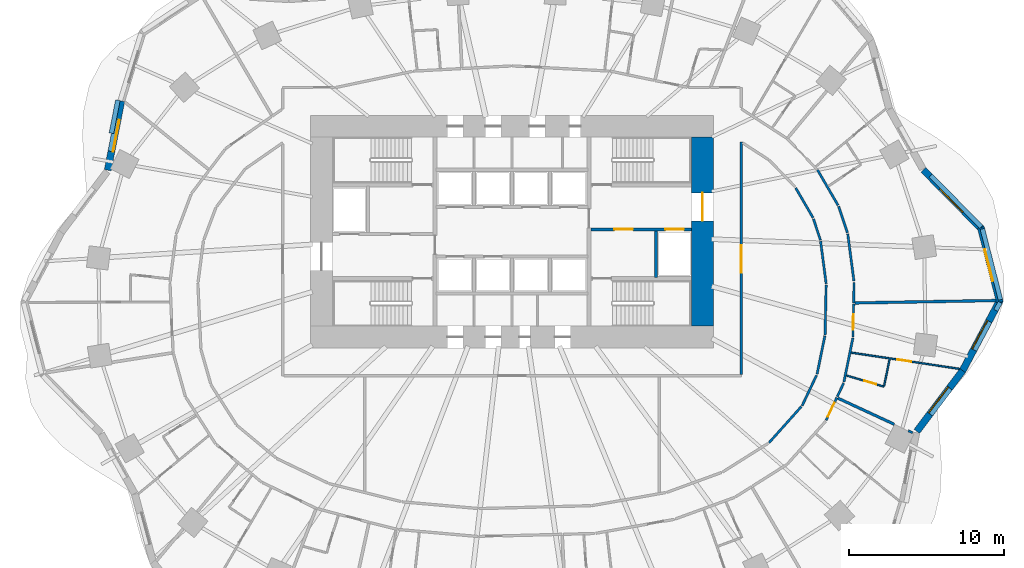
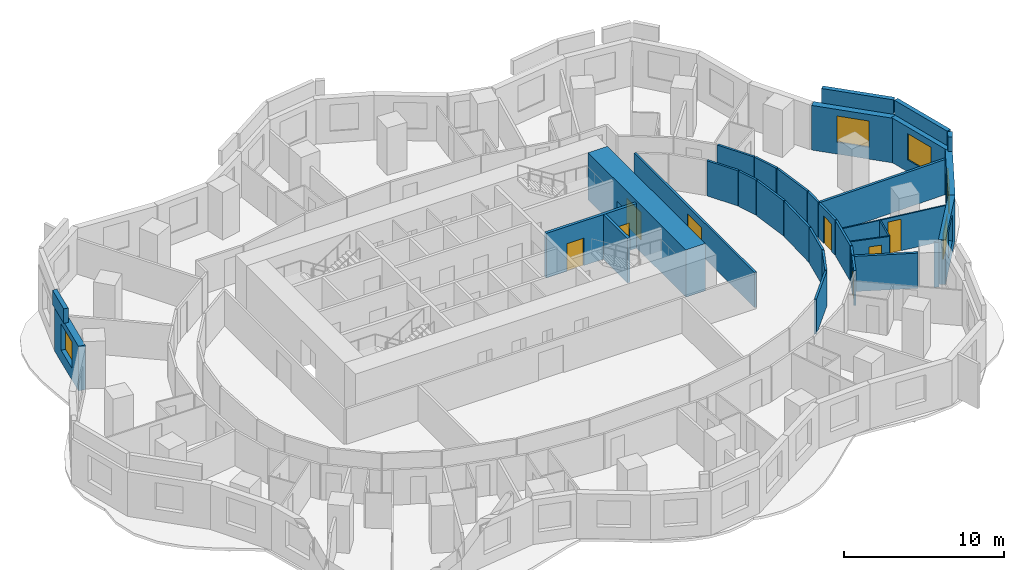
# One storey, part 7 of 11: 34 walls, 8 doors, 5 windows, 13 openings.
"""IFC4 building model written with IfcOpenShell, lengths in metres."""

from ifc_helpers import new_model, si_unit, direction, frame, frame_2d, origin, place, context, subcontext, project, spatial, rectangle, extrude, material, layer, layer_set, type_object, element, fill, save


model = new_model("IFC4")

# Units and contexts
model_context = context("Model", 3, precision=1e-05, world=origin(), true_north=direction((0.0, 1.0)))
body_context = subcontext(model_context, "Body", "Model", "MODEL_VIEW")
ifc_project = project(units=[si_unit("LENGTHUNIT", "METRE"), si_unit("AREAUNIT", "SQUARE_METRE"), si_unit("VOLUMEUNIT", "CUBIC_METRE"), si_unit("PLANEANGLEUNIT", "RADIAN"), si_unit("MASSUNIT", "GRAM", prefix="KILO")], contexts=[model_context])

# Site, building, storey
site_placement = place(None, origin())
site = spatial("IfcSite", under=ifc_project, at=site_placement, CompositionType="ELEMENT")
building_placement = place(site_placement, origin())
building = spatial("IfcBuilding", under=site, at=building_placement, Name="Rubra Terraces Tower", CompositionType="ELEMENT")
storey_placement = place(building_placement, frame((0.0, 0.0, 41.10009765625)))
storey = spatial("IfcBuildingStorey", under=building, at=storey_placement, Name="L07", CompositionType="ELEMENT", Elevation=41.10009765625)

# Walls
ifc_material_1 = material(Name="Twin plasterboard on staggered steel stud, acoustic mineral wool", Category="steel")
ifc_layer_1 = layer(ifc_material_1, 0.175048828125)
ifc_layer_set_1 = layer_set([ifc_layer_1], Name="Twin plasterboard on staggered steel stud, acoustic mineral wool")
wall_type_1 = type_object("IfcWallType", Name="ACOUSTIC PARTY WALL 175", PredefinedType="PARTITIONING", material=ifc_layer_set_1)
wall_1_placement = place(storey_placement, frame((31.223388671875, 0.05712890625, 0.0), z_axis=(0.0, 0.0, 1.0), x_axis=(-0.999851671488, -0.017223095602, 0.0)))
element("IfcWall", 1, at=wall_1_placement, inside=storey, type_object=wall_type_1, Name="PARTITION", PredefinedType="PARTITIONING", context=body_context, shape_type="SweptSolid", body=[
    extrude(rectangle(XDim=9.1005859375, YDim=0.175048828125, at=frame_2d((4.55029296875, 0.0))), origin(), (0.0, 0.0, 1.0), 2.679931640625),
])
wall_2_placement = place(storey_placement, frame((24.669189453125, -7.9287109375, 0.0), z_axis=(0.0, 0.0, 1.0), x_axis=(-0.907461750658, 0.420134705888, 0.0)))
element("IfcWall", 2, at=wall_2_placement, inside=storey, type_object=wall_type_1, Name="PARTITION", PredefinedType="PARTITIONING", context=body_context, shape_type="SweptSolid", body=[
    extrude(rectangle(XDim=4.01123046875, YDim=0.175048828125, at=frame_2d((2.005615234375, 0.0))), origin(), (0.0, 0.0, 1.0), 2.679931640625),
])

# Wall, opening, window
ifc_material_2 = material(Name="Brick masonry red-brown", Category="masonry")
ifc_layer_2 = layer(ifc_material_2, 0.449951171875)
ifc_layer_set_2 = layer_set([ifc_layer_2], Name="Brick masonry red-brown")
wall_type_2 = type_object("IfcWallType", Name="Brick facade wall 450", PredefinedType="SOLIDWALL", material=ifc_layer_set_2)
wall_3_placement = place(storey_placement, frame((31.489013671875, -0.0556640625, 0.0), z_axis=(0.0, 0.0, 1.0), x_axis=(-0.247283399528, 0.968943197674, 0.0)))
wall_3 = element("IfcWall", 3, at=wall_3_placement, inside=storey, type_object=wall_type_2, Name="Facade wall L07 bay 1", PredefinedType="SOLIDWALL", context=body_context, shape_type="SweptSolid", body=[
    extrude(rectangle(XDim=4.98193359375, YDim=0.449951171875, at=frame_2d((2.490966796875, 0.0))), origin(), (0.0, 0.0, 1.0), 3.39990234375),
])
opening_1_placement = place(wall_3_placement, frame((1.44091796875, 0.0, 0.89990234375)))
opening_1 = element("IfcOpeningElement", 4, at=opening_1_placement, cuts=wall_3, Name="Opening W1", PredefinedType="OPENING", context=body_context, shape_type="SweptSolid", body=[
    extrude(rectangle(XDim=2.10009765625, YDim=2.0, at=frame_2d((1.050048828125, 1.0))), frame((0.0, 0.23486328125, 0.0), z_axis=(0.0, -1.0, 0.0), x_axis=(1.0, 0.0, 0.0)), (0.0, 0.0, 1.0), 0.469970703125),
])
ifc_material_3 = material(Name="Clear glass in aluminium frame", Category="aluminium")
window_type = type_object("IfcWindowType", Name="Fixed deep-set window 2100 x 2000", PartitioningType="SINGLE_PANEL", PredefinedType="WINDOW", material=ifc_material_3)
window_1_placement = place(opening_1_placement, origin())
window_1 = element("IfcWindow", 5, at=window_1_placement, inside=storey, type_object=window_type, Name="Window L07 bay 1", OverallHeight=2.0, OverallWidth=2.10009765625, PartitioningType="SINGLE_PANEL", PredefinedType="WINDOW", context=body_context, shape_type="SweptSolid", body=[
    extrude(rectangle(XDim=2.10009765625, YDim=2.0, at=frame_2d((1.050048828125, 1.0))), frame((0.0, 0.135009765625, 0.0), z_axis=(0.0, -1.0, 0.0), x_axis=(1.0, 0.0, 0.0)), (0.0, 0.0, 1.0), 0.06005859375),
])
fill(opening_1, window_1)

wall_4_placement = place(storey_placement, frame((30.310791015625, 4.673095703125, 0.0), z_axis=(0.0, 0.0, 1.0), x_axis=(-0.701580441607, 0.712590263724, 0.0)))
wall_4 = element("IfcWall", 6, at=wall_4_placement, inside=storey, type_object=wall_type_2, Name="Facade wall L07 bay 2", PredefinedType="SOLIDWALL", context=body_context, shape_type="SweptSolid", body=[
    extrude(rectangle(XDim=5.3662109375, YDim=0.449951171875, at=frame_2d((2.68310546875, 0.0))), origin(), (0.0, 0.0, 1.0), 3.39990234375),
])
opening_2_placement = place(wall_4_placement, frame((1.633056640625, 0.0, 0.89990234375)))
opening_2 = element("IfcOpeningElement", 7, at=opening_2_placement, cuts=wall_4, Name="Opening W1", PredefinedType="OPENING", context=body_context, shape_type="SweptSolid", body=[
    extrude(rectangle(XDim=2.10009765625, YDim=2.0, at=frame_2d((1.050048828125, 1.0))), frame((0.0, 0.23486328125, 0.0), z_axis=(0.0, -1.0, 0.0), x_axis=(1.0, 0.0, 0.0)), (0.0, 0.0, 1.0), 0.469970703125),
])
window_2_placement = place(opening_2_placement, origin())
window_2 = element("IfcWindow", 8, at=window_2_placement, inside=storey, type_object=window_type, Name="Window L07 bay 2", OverallHeight=2.0, OverallWidth=2.10009765625, PartitioningType="SINGLE_PANEL", PredefinedType="WINDOW", context=body_context, shape_type="SweptSolid", body=[
    extrude(rectangle(XDim=2.10009765625, YDim=2.0, at=frame_2d((1.050048828125, 1.0))), frame((0.0, 0.135009765625, 0.0), z_axis=(0.0, -1.0, 0.0), x_axis=(1.0, 0.0, 0.0)), (0.0, 0.0, 1.0), 0.06005859375),
])
fill(opening_2, window_2)

wall_5_placement = place(storey_placement, frame((-25.216064453125, 12.936279296875, 0.0), z_axis=(0.0, 0.0, 1.0), x_axis=(-0.191564556994, -0.981480015336, 0.0)))
wall_5 = element("IfcWall", 9, at=wall_5_placement, inside=storey, type_object=wall_type_2, Name="Facade wall L07 bay 18", PredefinedType="SOLIDWALL", context=body_context, shape_type="SweptSolid", body=[
    extrude(rectangle(XDim=4.551025390625, YDim=0.449951171875, at=frame_2d((2.275390625, 0.0))), origin(), (0.0, 0.0, 1.0), 3.39990234375),
])
opening_3_placement = place(wall_5_placement, frame((1.2255859375, 0.0, 0.89990234375)))
opening_3 = element("IfcOpeningElement", 10, at=opening_3_placement, cuts=wall_5, Name="Opening W1", PredefinedType="OPENING", context=body_context, shape_type="SweptSolid", body=[
    extrude(rectangle(XDim=2.10009765625, YDim=2.0, at=frame_2d((1.050048828125, 1.0))), frame((0.0, 0.23486328125, 0.0), z_axis=(0.0, -1.0, 0.0), x_axis=(1.0, 0.0, 0.0)), (0.0, 0.0, 1.0), 0.469970703125),
])
window_3_placement = place(opening_3_placement, origin())
window_3 = element("IfcWindow", 11, at=window_3_placement, inside=storey, type_object=window_type, Name="Window L07 bay 18", OverallHeight=2.0, OverallWidth=2.10009765625, PartitioningType="SINGLE_PANEL", PredefinedType="WINDOW", context=body_context, shape_type="SweptSolid", body=[
    extrude(rectangle(XDim=2.10009765625, YDim=2.0, at=frame_2d((1.050048828125, 1.0))), frame((0.0, 0.135009765625, 0.0), z_axis=(0.0, -1.0, 0.0), x_axis=(1.0, 0.0, 0.0)), (0.0, 0.0, 1.0), 0.06005859375),
])
fill(opening_3, window_3)

wall_6_placement = place(storey_placement, frame((26.126220703125, -8.3837890625, 0.0), z_axis=(0.0, 0.0, 1.0), x_axis=(0.602408101465, 0.798188248028, 0.0)))
wall_6 = element("IfcWall", 12, at=wall_6_placement, inside=storey, type_object=wall_type_2, Name="Facade wall L07 bay 39", PredefinedType="SOLIDWALL", context=body_context, shape_type="SweptSolid", body=[
    extrude(rectangle(XDim=4.909423828125, YDim=0.449951171875, at=frame_2d((2.45458984375, 0.0))), origin(), (0.0, 0.0, 1.0), 3.39990234375),
])
opening_4_placement = place(wall_6_placement, frame((1.40478515625, 0.0, 0.89990234375)))
opening_4 = element("IfcOpeningElement", 13, at=opening_4_placement, cuts=wall_6, Name="Opening W1", PredefinedType="OPENING", context=body_context, shape_type="SweptSolid", body=[
    extrude(rectangle(XDim=2.10009765625, YDim=2.0, at=frame_2d((1.050048828125, 1.0))), frame((0.0, 0.23486328125, 0.0), z_axis=(0.0, -1.0, 0.0), x_axis=(1.0, 0.0, 0.0)), (0.0, 0.0, 1.0), 0.469970703125),
])
window_4_placement = place(opening_4_placement, origin())
window_4 = element("IfcWindow", 14, at=window_4_placement, inside=storey, type_object=window_type, Name="Window L07 bay 39", OverallHeight=2.0, OverallWidth=2.10009765625, PartitioningType="SINGLE_PANEL", PredefinedType="WINDOW", context=body_context, shape_type="SweptSolid", body=[
    extrude(rectangle(XDim=2.10009765625, YDim=2.0, at=frame_2d((1.050048828125, 1.0))), frame((0.0, 0.135009765625, 0.0), z_axis=(0.0, -1.0, 0.0), x_axis=(1.0, 0.0, 0.0)), (0.0, 0.0, 1.0), 0.06005859375),
])
fill(opening_4, window_4)

wall_7_placement = place(storey_placement, frame((29.065185546875, -4.4951171875, 0.0), z_axis=(0.0, 0.0, 1.0), x_axis=(0.469010051546, 0.883192828067, 0.0)))
wall_7 = element("IfcWall", 15, at=wall_7_placement, inside=storey, type_object=wall_type_2, Name="Facade wall L07 bay 40", PredefinedType="SOLIDWALL", context=body_context, shape_type="SweptSolid", body=[
    extrude(rectangle(XDim=5.20556640625, YDim=0.449951171875, at=frame_2d((2.602783203125, 0.0))), origin(), (0.0, 0.0, 1.0), 3.39990234375),
])
opening_5_placement = place(wall_7_placement, frame((1.552734375, 0.0, 0.89990234375)))
opening_5 = element("IfcOpeningElement", 16, at=opening_5_placement, cuts=wall_7, Name="Opening W1", PredefinedType="OPENING", context=body_context, shape_type="SweptSolid", body=[
    extrude(rectangle(XDim=2.10009765625, YDim=2.0, at=frame_2d((1.050048828125, 1.0))), frame((0.0, 0.23486328125, 0.0), z_axis=(0.0, -1.0, 0.0), x_axis=(1.0, 0.0, 0.0)), (0.0, 0.0, 1.0), 0.469970703125),
])
window_5_placement = place(opening_5_placement, origin())
window_5 = element("IfcWindow", 17, at=window_5_placement, inside=storey, type_object=window_type, Name="Window L07 bay 40", OverallHeight=2.0, OverallWidth=2.10009765625, PartitioningType="SINGLE_PANEL", PredefinedType="WINDOW", context=body_context, shape_type="SweptSolid", body=[
    extrude(rectangle(XDim=2.10009765625, YDim=2.0, at=frame_2d((1.050048828125, 1.0))), frame((0.0, 0.135009765625, 0.0), z_axis=(0.0, -1.0, 0.0), x_axis=(1.0, 0.0, 0.0)), (0.0, 0.0, 1.0), 0.06005859375),
])
fill(opening_5, window_5)

# Walls
ifc_layer_3 = layer(ifc_material_2, 0.300048828125)
ifc_layer_set_3 = layer_set([ifc_layer_3], Name="Brick masonry red-brown")
wall_type_3 = type_object("IfcWallType", Name="Brick parapet 300", PredefinedType="PARAPET", material=ifc_layer_set_3)
wall_8_placement = place(storey_placement, frame((31.525634765625, 0.1044921875, 3.599853515625), z_axis=(0.0, 0.0, 1.0), x_axis=(-0.247310993439, 0.96893615503, 0.0)))
element("IfcWall", 18, at=wall_8_placement, inside=storey, type_object=wall_type_3, Name="Parapet L07 bay 1", PredefinedType="PARAPET", context=body_context, shape_type="SweptSolid", body=[
    extrude(rectangle(XDim=4.724609375, YDim=0.300048828125, at=frame_2d((2.3623046875, 0.0))), origin(), (0.0, 0.0, 1.0), 1.10009765625),
])
wall_9_placement = place(storey_placement, frame((30.290283203125, 4.801025390625, 3.599853515625), z_axis=(0.0, 0.0, 1.0), x_axis=(-0.701637806996, 0.712533780107, 0.0)))
element("IfcWall", 19, at=wall_9_placement, inside=storey, type_object=wall_type_3, Name="Parapet L07 bay 2", PredefinedType="PARAPET", context=body_context, shape_type="SweptSolid", body=[
    extrude(rectangle(XDim=4.66064453125, YDim=0.300048828125, at=frame_2d((2.330322265625, 0.0))), origin(), (0.0, 0.0, 1.0), 1.10009765625),
])
wall_10_placement = place(storey_placement, frame((-25.43603515625, 12.9833984375, 3.599853515625), z_axis=(0.0, 0.0, 1.0), x_axis=(-0.191565926717, -0.981479747993, 0.0)))
element("IfcWall", 20, at=wall_10_placement, inside=storey, type_object=wall_type_3, Name="Parapet L07 bay 18", PredefinedType="PARAPET", context=body_context, shape_type="SweptSolid", body=[
    extrude(rectangle(XDim=2.167724609375, YDim=0.300048828125, at=frame_2d((1.083984375, 0.0))), origin(), (0.0, 0.0, 1.0), 1.10009765625),
])
wall_11_placement = place(storey_placement, frame((31.2265625, -0.584716796875, 3.599853515625), z_axis=(0.0, 0.0, 1.0), x_axis=(0.469205161074, 0.883089189619, 0.0)))
element("IfcWall", 21, at=wall_11_placement, inside=storey, type_object=wall_type_3, Name="Parapet L07 bay 40", PredefinedType="PARAPET", context=body_context, shape_type="SweptSolid", body=[
    extrude(rectangle(XDim=0.595703125, YDim=0.300048828125, at=frame_2d((0.2978515625, 0.0))), origin(), (0.0, 0.0, 1.0), 1.10009765625),
])

# Wall, opening, door
ifc_material_4 = material(Name="Concrete C70", Category="concrete")
ifc_layer_4 = layer(ifc_material_4, 1.39990234375)
ifc_layer_set_4 = layer_set([ifc_layer_4], Name="Concrete C70")
wall_type_4 = type_object("IfcWallType", Name="CORE WALL 1400 C70", PredefinedType="SHEAR", material=ifc_layer_set_4)
wall_12_placement = place(storey_placement, frame((12.300048828125, -1.60009765625, 0.0), z_axis=(0.0, 0.0, 1.0), x_axis=(0.0, 1.0, 0.0)))
wall_12 = element("IfcWall", 22, at=wall_12_placement, inside=storey, type_object=wall_type_4, Name="CORE WALL E L07", PredefinedType="SHEAR", context=body_context, shape_type="SweptSolid", body=[
    extrude(rectangle(XDim=12.2001953125, YDim=1.39990234375, at=frame_2d((6.10009765625, 0.0))), origin(), (0.0, 0.0, 1.0), 3.599853515625),
])
opening_6_placement = place(wall_12_placement, frame((6.800048828125, 0.0, 0.0)))
opening_6 = element("IfcOpeningElement", 23, at=opening_6_placement, cuts=wall_12, Name="Opening L07.C02", PredefinedType="OPENING", context=body_context, shape_type="SweptSolid", body=[
    extrude(rectangle(XDim=1.800048828125, YDim=2.10009765625, at=frame_2d((0.89990234375, 1.050048828125))), frame((0.0, 0.7099609375, 0.0), z_axis=(0.0, -1.0, 0.0), x_axis=(1.0, 0.0, 0.0)), (0.0, 0.0, 1.0), 1.419921875),
])
ifc_material_5 = material(Name="Painted steel", Category="steel")
door_type_1 = type_object("IfcDoorType", Name="Fire door 1800x2100 double", OperationType="NOTDEFINED", PredefinedType="DOOR", material=ifc_material_5)
door_1_placement = place(opening_6_placement, origin())
door_1 = element("IfcDoor", 24, at=door_1_placement, inside=storey, type_object=door_type_1, Name="Core entrance door FF2", OperationType="DOUBLE_DOOR_SINGLE_SWING", OverallHeight=2.10009765625, OverallWidth=1.800048828125, PredefinedType="DOOR", context=body_context, shape_type="SweptSolid", body=[
    extrude(rectangle(XDim=1.800048828125, YDim=2.10009765625, at=frame_2d((0.89990234375, 1.050048828125))), frame((0.0, 0.02490234375, 0.0), z_axis=(0.0, -1.0, 0.0), x_axis=(1.0, 0.0, 0.0)), (0.0, 0.0, 1.0), 0.050048828125),
])
fill(opening_6, door_1)

# Walls
ifc_material_6 = material(Name="Plasterboard on steel stud, mineral wool infill", Category="steel")
ifc_layer_5 = layer(ifc_material_6, 0.14990234375)
ifc_layer_set_5 = layer_set([ifc_layer_5], Name="Plasterboard on steel stud, mineral wool infill")
wall_type_5 = type_object("IfcWallType", Name="CORRIDOR PARTITION 150", PredefinedType="PARTITIONING", material=ifc_layer_set_5)
wall_13_placement = place(storey_placement, frame((22.04931640625, -0.10107421875, 0.0), z_axis=(0.0, 0.0, 1.0), x_axis=(0.021197940891, 0.999775298406, 0.0)))
element("IfcWall", 25, at=wall_13_placement, inside=storey, type_object=wall_type_5, Name="PARTITION", PredefinedType="PARTITIONING", context=body_context, shape_type="SweptSolid", body=[
    extrude(rectangle(XDim=1.3359375, YDim=0.14990234375, at=frame_2d((0.66796875, 0.0))), origin(), (0.0, 0.0, 1.0), 2.679931640625),
])
wall_14_placement = place(storey_placement, frame((22.06787109375, 1.30908203125, 0.0), z_axis=(0.0, 0.0, 1.0), x_axis=(-0.129922755307, 0.991524118543, 0.0)))
element("IfcWall", 26, at=wall_14_placement, inside=storey, type_object=wall_type_5, Name="PARTITION", PredefinedType="PARTITIONING", context=body_context, shape_type="SweptSolid", body=[
    extrude(rectangle(XDim=3.076171875, YDim=0.14990234375, at=frame_2d((1.5380859375, 0.0))), origin(), (0.0, 0.0, 1.0), 2.679931640625),
])
wall_15_placement = place(storey_placement, frame((21.644775390625, 4.430419921875, 0.0), z_axis=(0.0, 0.0, 1.0), x_axis=(-0.313700743044, 0.949521902756, 0.0)))
element("IfcWall", 27, at=wall_15_placement, inside=storey, type_object=wall_type_5, Name="PARTITION", PredefinedType="PARTITIONING", context=body_context, shape_type="SweptSolid", body=[
    extrude(rectangle(XDim=1.7978515625, YDim=0.14990234375, at=frame_2d((0.89892578125, 0.0))), origin(), (0.0, 0.0, 1.0), 2.679931640625),
])
wall_16_placement = place(storey_placement, frame((21.043212890625, 6.2021484375, 0.0), z_axis=(0.0, 0.0, 1.0), x_axis=(-0.502371650135, 0.864651794158, 0.0)))
element("IfcWall", 28, at=wall_16_placement, inside=storey, type_object=wall_type_5, Name="PARTITION", PredefinedType="PARTITIONING", context=body_context, shape_type="SweptSolid", body=[
    extrude(rectangle(XDim=2.643798828125, YDim=0.14990234375, at=frame_2d((1.32177734375, 0.0))), origin(), (0.0, 0.0, 1.0), 2.679931640625),
])

# Wall, opening, door
wall_17_placement = place(storey_placement, frame((20.2705078125, -7.669677734375, 0.0), z_axis=(0.0, 0.0, 1.0), x_axis=(0.42804079978, 0.903759411416, 0.0)))
wall_17 = element("IfcWall", 29, at=wall_17_placement, inside=storey, type_object=wall_type_5, Name="PARTITION", PredefinedType="PARTITIONING", context=body_context, shape_type="SweptSolid", body=[
    extrude(rectangle(XDim=1.613037109375, YDim=0.14990234375, at=frame_2d((0.806640625, 0.0))), origin(), (0.0, 0.0, 1.0), 2.679931640625),
])
opening_7_placement = place(wall_17_placement, frame((0.25, 0.0, 0.0)))
opening_7 = element("IfcOpeningElement", 30, at=opening_7_placement, cuts=wall_17, Name="Opening 07-137", PredefinedType="OPENING", context=body_context, shape_type="SweptSolid", body=[
    extrude(rectangle(XDim=1.0, YDim=2.10009765625, at=frame_2d((0.5, 1.050048828125))), frame((0.0, 0.0849609375, 0.0), z_axis=(0.0, -1.0, 0.0), x_axis=(1.0, 0.0, 0.0)), (0.0, 0.0, 1.0), 0.169921875),
])
ifc_material_7 = material(Name="Painted timber door leaf", Category="wood")
door_type_2 = type_object("IfcDoorType", Name="ROOM DOOR 1000 X 2100", OperationType="SINGLE_SWING_LEFT", PredefinedType="DOOR", material=ifc_material_7)
door_2_placement = place(opening_7_placement, origin())
door_2 = element("IfcDoor", 31, at=door_2_placement, inside=storey, type_object=door_type_2, Name="DOOR 07-137", OperationType="SINGLE_SWING_RIGHT", OverallHeight=2.10009765625, OverallWidth=1.0, PredefinedType="DOOR", context=body_context, shape_type="SweptSolid", body=[
    extrude(rectangle(XDim=1.0, YDim=2.10009765625, at=frame_2d((0.5, 1.050048828125))), frame((0.0, 0.02490234375, 0.0), z_axis=(0.0, -1.0, 0.0), x_axis=(1.0, 0.0, 0.0)), (0.0, 0.0, 1.0), 0.050048828125),
])
fill(opening_7, door_2)

# Walls
wall_18_placement = place(storey_placement, frame((20.9931640625, -6.14404296875, 0.0), z_axis=(0.0, 0.0, 1.0), x_axis=(0.42784789947, 0.903850748143, 0.0)))
element("IfcWall", 32, at=wall_18_placement, inside=storey, type_object=wall_type_5, Name="PARTITION", PredefinedType="PARTITIONING", context=body_context, shape_type="SweptSolid", body=[
    extrude(rectangle(XDim=0.96826171875, YDim=0.14990234375, at=frame_2d((0.484130859375, 0.0))), origin(), (0.0, 0.0, 1.0), 2.679931640625),
])
wall_19_placement = place(storey_placement, frame((21.422607421875, -5.1953125, 0.0), z_axis=(0.0, 0.0, 1.0), x_axis=(0.199793264012, 0.979838074202, 0.0)))
element("IfcWall", 33, at=wall_19_placement, inside=storey, type_object=wall_type_5, Name="PARTITION", PredefinedType="PARTITIONING", context=body_context, shape_type="SweptSolid", body=[
    extrude(rectangle(XDim=2.897216796875, YDim=0.14990234375, at=frame_2d((1.44873046875, 0.0))), origin(), (0.0, 0.0, 1.0), 2.679931640625),
])

# Wall, opening, door
wall_20_placement = place(storey_placement, frame((22.003173828125, -2.281494140625, 0.0), z_axis=(0.0, 0.0, 1.0), x_axis=(0.021099198105, 0.999777387141, 0.0)))
wall_20 = element("IfcWall", 34, at=wall_20_placement, inside=storey, type_object=wall_type_5, Name="PARTITION", PredefinedType="PARTITIONING", context=body_context, shape_type="SweptSolid", body=[
    extrude(rectangle(XDim=2.10595703125, YDim=0.14990234375, at=frame_2d((1.052978515625, 0.0))), origin(), (0.0, 0.0, 1.0), 2.679931640625),
])
opening_8_placement = place(wall_20_placement, frame((0.449951171875, 0.0, 0.0)))
opening_8 = element("IfcOpeningElement", 35, at=opening_8_placement, cuts=wall_20, Name="Opening 07-140", PredefinedType="OPENING", context=body_context, shape_type="SweptSolid", body=[
    extrude(rectangle(XDim=1.0, YDim=2.10009765625, at=frame_2d((0.5, 1.050048828125))), frame((0.0, 0.0849609375, 0.0), z_axis=(0.0, -1.0, 0.0), x_axis=(1.0, 0.0, 0.0)), (0.0, 0.0, 1.0), 0.169921875),
])
door_3_placement = place(opening_8_placement, origin())
door_3 = element("IfcDoor", 36, at=door_3_placement, inside=storey, type_object=door_type_2, Name="DOOR 07-140", OperationType="SINGLE_SWING_RIGHT", OverallHeight=2.10009765625, OverallWidth=1.0, PredefinedType="DOOR", context=body_context, shape_type="SweptSolid", body=[
    extrude(rectangle(XDim=1.0, YDim=2.10009765625, at=frame_2d((0.5, 1.050048828125))), frame((0.0, 0.02490234375, 0.0), z_axis=(0.0, -1.0, 0.0), x_axis=(1.0, 0.0, 0.0)), (0.0, 0.0, 1.0), 0.050048828125),
])
fill(opening_8, door_3)

# Walls
wall_21_placement = place(storey_placement, frame((18.306396484375, 7.329345703125, 0.0), z_axis=(0.0, 0.0, 1.0), x_axis=(0.502425081691, -0.864620747662, 0.0)))
element("IfcWall", 37, at=wall_21_placement, inside=storey, type_object=wall_type_5, Name="PARTITION", PredefinedType="PARTITIONING", context=body_context, shape_type="SweptSolid", body=[
    extrude(rectangle(XDim=2.2373046875, YDim=0.14990234375, at=frame_2d((1.11865234375, 0.0))), origin(), (0.0, 0.0, 1.0), 2.679931640625),
])
wall_22_placement = place(storey_placement, frame((19.453857421875, 5.32373046875, 0.0), z_axis=(0.0, 0.0, 1.0), x_axis=(0.313632756375, -0.949544361327, 0.0)))
element("IfcWall", 38, at=wall_22_placement, inside=storey, type_object=wall_type_5, Name="PARTITION", PredefinedType="PARTITIONING", context=body_context, shape_type="SweptSolid", body=[
    extrude(rectangle(XDim=1.440185546875, YDim=0.14990234375, at=frame_2d((0.72021484375, 0.0))), origin(), (0.0, 0.0, 1.0), 2.679931640625),
])
wall_23_placement = place(storey_placement, frame((19.915283203125, 3.882080078125, 0.0), z_axis=(0.0, 0.0, 1.0), x_axis=(0.129945947446, -0.991521079323, 0.0)))
element("IfcWall", 39, at=wall_23_placement, inside=storey, type_object=wall_type_5, Name="PARTITION", PredefinedType="PARTITIONING", context=body_context, shape_type="SweptSolid", body=[
    extrude(rectangle(XDim=2.769287109375, YDim=0.14990234375, at=frame_2d((1.384765625, 0.0))), origin(), (0.0, 0.0, 1.0), 2.679931640625),
])
wall_24_placement = place(storey_placement, frame((20.2734375, 1.061279296875, 0.0), z_axis=(0.0, 0.0, 1.0), x_axis=(-0.021166906337, -0.99977595594, 0.0)))
element("IfcWall", 40, at=wall_24_placement, inside=storey, type_object=wall_type_5, Name="PARTITION", PredefinedType="PARTITIONING", context=body_context, shape_type="SweptSolid", body=[
    extrude(rectangle(XDim=3.218017578125, YDim=0.14990234375, at=frame_2d((1.60888671875, 0.0))), origin(), (0.0, 0.0, 1.0), 2.679931640625),
])
wall_25_placement = place(storey_placement, frame((20.190185546875, -2.2294921875, 0.0), z_axis=(0.0, 0.0, 1.0), x_axis=(-0.199752828647, -0.97984631828, 0.0)))
element("IfcWall", 41, at=wall_25_placement, inside=storey, type_object=wall_type_5, Name="PARTITION", PredefinedType="PARTITIONING", context=body_context, shape_type="SweptSolid", body=[
    extrude(rectangle(XDim=2.5166015625, YDim=0.14990234375, at=frame_2d((1.25830078125, 0.0))), origin(), (0.0, 0.0, 1.0), 2.679931640625),
])
wall_26_placement = place(storey_placement, frame((19.6552734375, -4.76318359375, 0.0), z_axis=(0.0, 0.0, 1.0), x_axis=(-0.427965880464, -0.903794891089, 0.0)))
element("IfcWall", 42, at=wall_26_placement, inside=storey, type_object=wall_type_5, Name="PARTITION", PredefinedType="PARTITIONING", context=body_context, shape_type="SweptSolid", body=[
    extrude(rectangle(XDim=2.177978515625, YDim=0.14990234375, at=frame_2d((1.0888671875, 0.0))), origin(), (0.0, 0.0, 1.0), 2.679931640625),
])
wall_27_placement = place(storey_placement, frame((18.673095703125, -6.78759765625, 0.0), z_axis=(0.0, 0.0, 1.0), x_axis=(-0.666610670036, -0.745406073623, 0.0)))
element("IfcWall", 43, at=wall_27_placement, inside=storey, type_object=wall_type_5, Name="PARTITION", PredefinedType="PARTITIONING", context=body_context, shape_type="SweptSolid", body=[
    extrude(rectangle(XDim=3.138671875, YDim=0.14990234375, at=frame_2d((1.5693359375, 0.0))), origin(), (0.0, 0.0, 1.0), 2.679931640625),
])

# Wall, opening, door
wall_28_placement = place(storey_placement, frame((14.800048828125, -4.72509765625, 0.0), z_axis=(0.0, 0.0, 1.0), x_axis=(0.0, 1.0, 0.0)))
wall_28 = element("IfcWall", 44, at=wall_28_placement, inside=storey, type_object=wall_type_5, Name="PARTITION", PredefinedType="PARTITIONING", context=body_context, shape_type="SweptSolid", body=[
    extrude(rectangle(XDim=15.00830078125, YDim=0.14990234375, at=frame_2d((7.504150390625, 0.0))), origin(), (0.0, 0.0, 1.0), 2.679931640625),
])
opening_9_placement = place(wall_28_placement, frame((6.56591796875, 0.0, 0.0)))
opening_9 = element("IfcOpeningElement", 45, at=opening_9_placement, cuts=wall_28, Name="Opening 07-143", PredefinedType="OPENING", context=body_context, shape_type="SweptSolid", body=[
    extrude(rectangle(XDim=1.800048828125, YDim=2.10009765625, at=frame_2d((0.89990234375, 1.050048828125))), frame((0.0, 0.0849609375, 0.0), z_axis=(0.0, -1.0, 0.0), x_axis=(1.0, 0.0, 0.0)), (0.0, 0.0, 1.0), 0.169921875),
])
ifc_material_8 = material(Name="Painted timber door leaf, double", Category="wood")
door_type_3 = type_object("IfcDoorType", Name="ROOM DOUBLE DOOR 1800 X 2100", OperationType="DOUBLE_DOOR_SINGLE_SWING", PredefinedType="DOOR", material=ifc_material_8)
door_4_placement = place(opening_9_placement, origin())
door_4 = element("IfcDoor", 46, at=door_4_placement, inside=storey, type_object=door_type_3, Name="DOOR 07-143", OperationType="DOUBLE_DOOR_SINGLE_SWING", OverallHeight=2.10009765625, OverallWidth=1.800048828125, PredefinedType="DOOR", context=body_context, shape_type="SweptSolid", body=[
    extrude(rectangle(XDim=1.800048828125, YDim=2.10009765625, at=frame_2d((0.89990234375, 1.050048828125))), frame((0.0, 0.02490234375, 0.0), z_axis=(0.0, -1.0, 0.0), x_axis=(1.0, 0.0, 0.0)), (0.0, 0.0, 1.0), 0.050048828125),
])
fill(opening_9, door_4)

# Wall, openings, doors
ifc_material_9 = material(Name="Concrete C30", Category="concrete")
ifc_layer_6 = layer(ifc_material_9, 0.199951171875)
ifc_layer_set_6 = layer_set([ifc_layer_6], Name="Concrete C30")
wall_type_6 = type_object("IfcWallType", Name="Core wall 200 concrete", PredefinedType="SOLIDWALL", material=ifc_layer_set_6)
wall_29_placement = place(storey_placement, frame((11.60009765625, 4.64990234375, 0.0), z_axis=(0.0, 0.0, 1.0), x_axis=(-1.0, 0.0, 0.0)))
wall_29 = element("IfcWall", 47, at=wall_29_placement, inside=storey, type_object=wall_type_6, Name="STAIR WALL L07", PredefinedType="SOLIDWALL", context=body_context, shape_type="SweptSolid", body=[
    extrude(rectangle(XDim=6.5, YDim=0.199951171875, at=frame_2d((3.25, 0.0))), origin(), (0.0, 0.0, 1.0), 3.39990234375),
])
opening_10_placement = place(wall_29_placement, frame((3.800048828125, 0.0, 0.0)))
opening_10 = element("IfcOpeningElement", 48, at=opening_10_placement, cuts=wall_29, Name="Opening L07.C06", PredefinedType="OPENING", context=body_context, shape_type="SweptSolid", body=[
    extrude(rectangle(XDim=1.199951171875, YDim=2.10009765625, at=frame_2d((0.60009765625, 1.050048828125))), frame((0.0, 0.10986328125, 0.0), z_axis=(0.0, -1.0, 0.0), x_axis=(1.0, 0.0, 0.0)), (0.0, 0.0, 1.0), 0.219970703125),
])
opening_11_placement = place(wall_29_placement, frame((0.5, 0.0, 0.0)))
opening_11 = element("IfcOpeningElement", 49, at=opening_11_placement, cuts=wall_29, Name="Opening L07.C12", PredefinedType="OPENING", context=body_context, shape_type="SweptSolid", body=[
    extrude(rectangle(XDim=1.199951171875, YDim=2.10009765625, at=frame_2d((0.60009765625, 1.050048828125))), frame((0.0, 0.10986328125, 0.0), z_axis=(0.0, -1.0, 0.0), x_axis=(1.0, 0.0, 0.0)), (0.0, 0.0, 1.0), 0.219970703125),
])
door_type_4 = type_object("IfcDoorType", Name="Fire door 1200x2100 single", OperationType="NOTDEFINED", PredefinedType="DOOR", material=ifc_material_5)
door_5_placement = place(opening_10_placement, origin())
door_5 = element("IfcDoor", 50, at=door_5_placement, inside=storey, type_object=door_type_4, Name="Stair vestibule door S4", OperationType="SINGLE_SWING_RIGHT", OverallHeight=2.10009765625, OverallWidth=1.199951171875, PredefinedType="DOOR", context=body_context, shape_type="SweptSolid", body=[
    extrude(rectangle(XDim=1.199951171875, YDim=2.10009765625, at=frame_2d((0.60009765625, 1.050048828125))), frame((0.0, 0.02490234375, 0.0), z_axis=(0.0, -1.0, 0.0), x_axis=(1.0, 0.0, 0.0)), (0.0, 0.0, 1.0), 0.050048828125),
])
fill(opening_10, door_5)
ifc_material_10 = material(Name="Stainless steel", Category="steel")
door_type_5 = type_object("IfcDoorType", Name="Lift landing door 1200x2100", OperationType="NOTDEFINED", PredefinedType="DOOR", material=ifc_material_10)
door_6_placement = place(opening_11_placement, origin())
door_6 = element("IfcDoor", 51, at=door_6_placement, inside=storey, type_object=door_type_5, Name="Landing door FF2", OperationType="SLIDING_TO_RIGHT", OverallHeight=2.10009765625, OverallWidth=1.199951171875, PredefinedType="DOOR", context=body_context, shape_type="SweptSolid", body=[
    extrude(rectangle(XDim=1.199951171875, YDim=2.10009765625, at=frame_2d((0.60009765625, 1.050048828125))), frame((0.0, 0.02490234375, 0.0), z_axis=(0.0, -1.0, 0.0), x_axis=(1.0, 0.0, 0.0)), (0.0, 0.0, 1.0), 0.050048828125),
])
fill(opening_11, door_6)

# Wall
wall_30_placement = place(storey_placement, frame((9.300048828125, 4.550048828125, 0.0), z_axis=(0.0, 0.0, 1.0), x_axis=(0.0, -1.0, 0.0)))
element("IfcWall", 52, at=wall_30_placement, inside=storey, type_object=wall_type_6, Name="STAIR WALL L07", PredefinedType="SOLIDWALL", context=body_context, shape_type="SweptSolid", body=[
    extrude(rectangle(XDim=3.0, YDim=0.199951171875, at=frame_2d((1.5, 0.0))), origin(), (0.0, 0.0, 1.0), 3.39990234375),
])

# Wall, opening, door
ifc_material_11 = material(Name="Plasterboard on steel stud", Category="steel")
ifc_layer_7 = layer(ifc_material_11, 0.10009765625)
ifc_layer_set_7 = layer_set([ifc_layer_7], Name="Plasterboard on steel stud")
wall_type_7 = type_object("IfcWallType", Name="ROOM PARTITION 100", PredefinedType="PARTITIONING", material=ifc_layer_set_7)
wall_31_placement = place(storey_placement, frame((28.880615234375, -4.354248046875, 0.0), z_axis=(0.0, 0.0, 1.0), x_axis=(-0.988881100428, 0.14870833607, 0.0)))
wall_31 = element("IfcWall", 53, at=wall_31_placement, inside=storey, type_object=wall_type_7, Name="PARTITION", PredefinedType="PARTITIONING", context=body_context, shape_type="SweptSolid", body=[
    extrude(rectangle(XDim=7.07421875, YDim=0.10009765625, at=frame_2d((3.537109375, 0.0))), origin(), (0.0, 0.0, 1.0), 2.679931640625),
])
opening_12_placement = place(wall_31_placement, frame((3.14990234375, 0.0, 0.0)))
opening_12 = element("IfcOpeningElement", 54, at=opening_12_placement, cuts=wall_31, Name="Opening 07-139", PredefinedType="OPENING", context=body_context, shape_type="SweptSolid", body=[
    extrude(rectangle(XDim=0.89990234375, YDim=2.39990234375, at=frame_2d((0.449951171875, 1.199951171875))), frame((0.0, 0.06005859375, 0.0), z_axis=(0.0, -1.0, 0.0), x_axis=(1.0, 0.0, 0.0)), (0.0, 0.0, 1.0), 0.1201171875),
])
ifc_material_12 = material(Name="Veneered timber door leaf, fire-rated", Category="wood")
door_type_6 = type_object("IfcDoorType", Name="SUITE ENTRANCE DOOR 900 X 2400", OperationType="SINGLE_SWING_LEFT", PredefinedType="DOOR", material=ifc_material_12)
door_7_placement = place(opening_12_placement, origin())
door_7 = element("IfcDoor", 55, at=door_7_placement, inside=storey, type_object=door_type_6, Name="DOOR 07-139", OperationType="SINGLE_SWING_LEFT", OverallHeight=2.39990234375, OverallWidth=0.89990234375, PredefinedType="DOOR", context=body_context, shape_type="SweptSolid", body=[
    extrude(rectangle(XDim=0.89990234375, YDim=2.39990234375, at=frame_2d((0.449951171875, 1.199951171875))), frame((0.0, 0.02490234375, 0.0), z_axis=(0.0, -1.0, 0.0), x_axis=(1.0, 0.0, 0.0)), (0.0, 0.0, 1.0), 0.050048828125),
])
fill(opening_12, door_7)

wall_32_placement = place(storey_placement, frame((21.5830078125, -4.781982421875, 0.0), z_axis=(0.0, 0.0, 1.0), x_axis=(0.958634088197, -0.284641326843, 0.0)))
wall_32 = element("IfcWall", 56, at=wall_32_placement, inside=storey, type_object=wall_type_7, Name="PARTITION", PredefinedType="PARTITIONING", context=body_context, shape_type="SweptSolid", body=[
    extrude(rectangle(XDim=2.525146484375, YDim=0.10009765625, at=frame_2d((1.2626953125, 0.0))), origin(), (0.0, 0.0, 1.0), 2.679931640625),
])
opening_13_placement = place(wall_32_placement, frame((1.199951171875, 0.0, 0.0)))
opening_13 = element("IfcOpeningElement", 57, at=opening_13_placement, cuts=wall_32, Name="Opening 07-138", PredefinedType="OPENING", context=body_context, shape_type="SweptSolid", body=[
    extrude(rectangle(XDim=0.800048828125, YDim=2.10009765625, at=frame_2d((0.39990234375, 1.050048828125))), frame((0.0, 0.06005859375, 0.0), z_axis=(0.0, -1.0, 0.0), x_axis=(1.0, 0.0, 0.0)), (0.0, 0.0, 1.0), 0.1201171875),
])
door_type_7 = type_object("IfcDoorType", Name="BATHROOM DOOR 800 X 2100", OperationType="SINGLE_SWING_LEFT", PredefinedType="DOOR", material=ifc_material_7)
door_8_placement = place(opening_13_placement, origin())
door_8 = element("IfcDoor", 58, at=door_8_placement, inside=storey, type_object=door_type_7, Name="DOOR 07-138", OperationType="SINGLE_SWING_LEFT", OverallHeight=2.10009765625, OverallWidth=0.800048828125, PredefinedType="DOOR", context=body_context, shape_type="SweptSolid", body=[
    extrude(rectangle(XDim=0.800048828125, YDim=2.10009765625, at=frame_2d((0.39990234375, 1.050048828125))), frame((0.0, 0.02490234375, 0.0), z_axis=(0.0, -1.0, 0.0), x_axis=(1.0, 0.0, 0.0)), (0.0, 0.0, 1.0), 0.050048828125),
])
fill(opening_13, door_8)

# Walls
wall_33_placement = place(storey_placement, frame((24.013916015625, -5.45166015625, 0.0), z_axis=(0.0, 0.0, 1.0), x_axis=(0.203040963586, 0.979170244189, 0.0)))
element("IfcWall", 59, at=wall_33_placement, inside=storey, type_object=wall_type_7, Name="PARTITION", PredefinedType="PARTITIONING", context=body_context, shape_type="SweptSolid", body=[
    extrude(rectangle(XDim=1.761474609375, YDim=0.10009765625, at=frame_2d((0.880859375, 0.0))), origin(), (0.0, 0.0, 1.0), 2.679931640625),
])
ifc_layer_8 = layer(ifc_material_11, 0.14990234375)
ifc_layer_set_8 = layer_set([ifc_layer_8], Name="Plasterboard on steel stud")
wall_type_8 = type_object("IfcWallType", Name="ROOM PARTITION 150", PredefinedType="PARTITIONING", material=ifc_layer_set_8)
wall_34_placement = place(storey_placement, frame((25.85693359375, -8.478515625, 0.0), z_axis=(0.0, 0.0, 1.0), x_axis=(-0.90750010164, 0.420051860517, 0.0)))
element("IfcWall", 60, at=wall_34_placement, inside=storey, type_object=wall_type_8, Name="PARTITION", PredefinedType="PARTITIONING", context=body_context, shape_type="SweptSolid", body=[
    extrude(rectangle(XDim=0.3115234375, YDim=0.14990234375, at=frame_2d((0.15576171875, 0.0))), origin(), (0.0, 0.0, 1.0), 3.39990234375),
])

save(model, "model.ifc")
